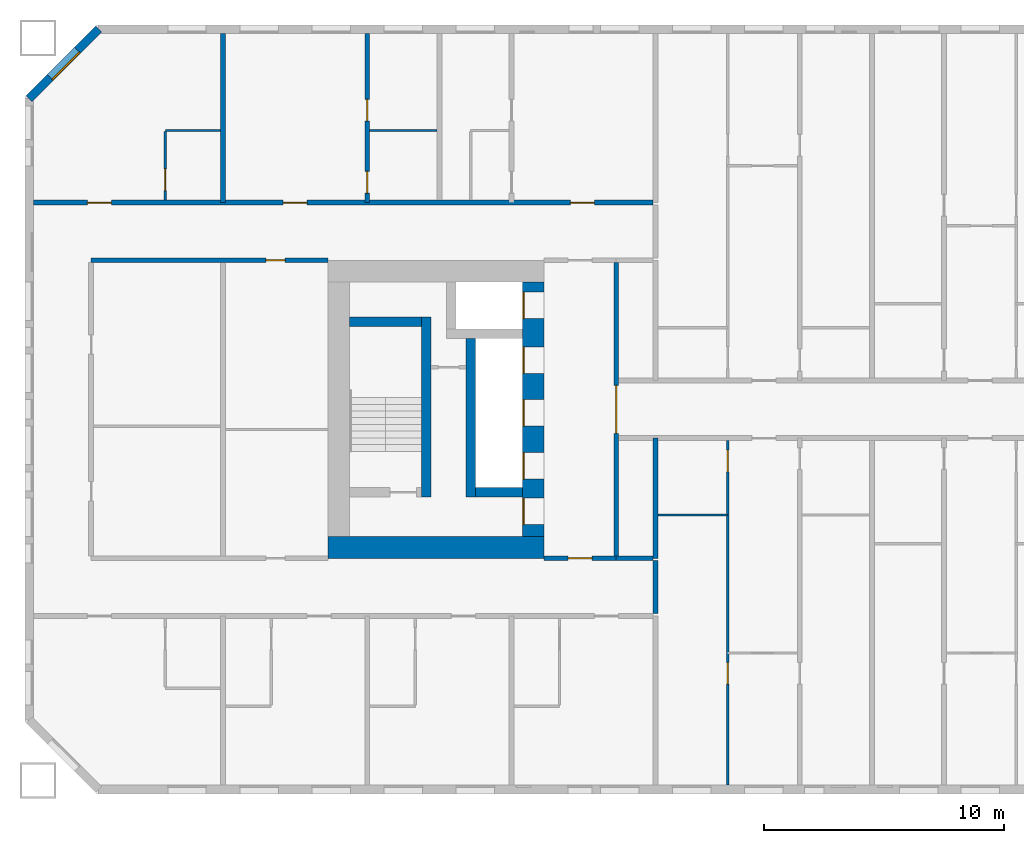
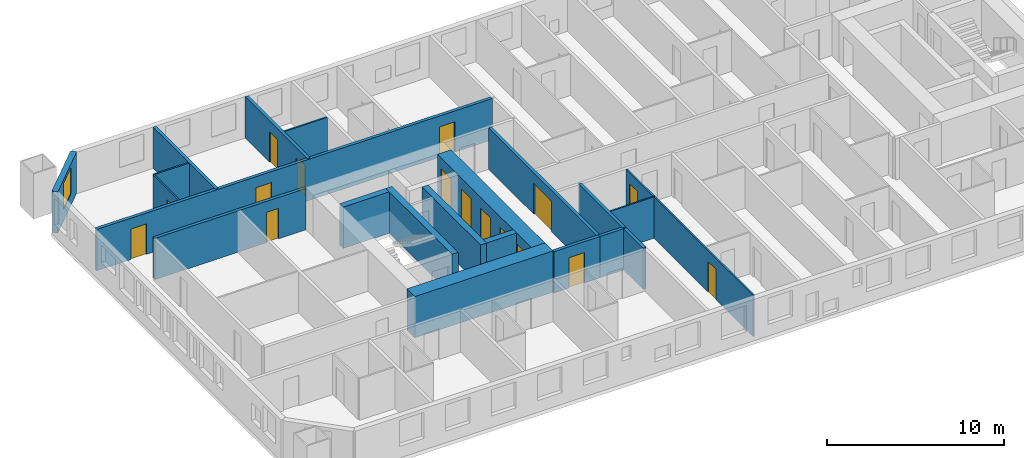
# One storey, part 4 of 18: 21 walls, 16 doors, 1 window, 17 openings.
"""IFC4 building model written with IfcOpenShell, lengths in metres."""

from ifc_helpers import new_model, si_unit, direction, frame, frame_2d, origin, place, context, subcontext, project, spatial, rectangle, extrude, material, layer, layer_set, type_object, element, fill, save


model = new_model("IFC4")

# Units and contexts
model_context = context("Model", 3, precision=1e-05, world=origin(), true_north=direction((0.0, 1.0)))
body_context = subcontext(model_context, "Body", "Model", "MODEL_VIEW")
ifc_project = project(units=[si_unit("LENGTHUNIT", "METRE"), si_unit("AREAUNIT", "SQUARE_METRE"), si_unit("VOLUMEUNIT", "CUBIC_METRE"), si_unit("PLANEANGLEUNIT", "RADIAN"), si_unit("MASSUNIT", "GRAM", prefix="KILO")], contexts=[model_context])

# Site, building, storey
site_placement = place(None, origin())
site = spatial("IfcSite", under=ifc_project, at=site_placement, CompositionType="ELEMENT")
building_placement = place(site_placement, origin())
building = spatial("IfcBuilding", under=site, at=building_placement, Name="Tuart Gate Housing", CompositionType="ELEMENT")
storey_placement = place(building_placement, frame((0.0, 0.0, 31.89990234375)))
storey = spatial("IfcBuildingStorey", under=building, at=storey_placement, Name="L08", CompositionType="ELEMENT", Elevation=31.89990234375)

# Wall, opening, window
ifc_material_1 = material(Name="Brick", Category="masonry")
ifc_layer_1 = layer(ifc_material_1, 0.360107421875)
ifc_layer_set_1 = layer_set([ifc_layer_1], Name="Brick pier and spandrel wall 360")
wall_type_1 = type_object("IfcWallType", Name="Brick pier and spandrel wall 360", PredefinedType="STANDARD", material=ifc_layer_set_1)
wall_1_placement = place(storey_placement, frame((22.82470703125, 85.820068359375, 0.0), z_axis=(0.0, 0.0, 1.0), x_axis=(-0.707106781187, -0.707106781187, 0.0)))
wall_1 = element("IfcWall", 1, at=wall_1_placement, inside=storey, type_object=wall_type_1, Name="External wall A-NW L08", PredefinedType="STANDARD", context=body_context, shape_type="SweptSolid", body=[
    extrude(rectangle(XDim=4.09375, YDim=0.360107421875, at=frame_2d((2.046875, 0.0))), origin(), (0.0, 0.0, 1.0), 2.85009765625),
])
opening_1_placement = place(wall_1_placement, frame((1.2470703125, 0.0, 0.800048828125)))
opening_1 = element("IfcOpeningElement", 2, at=opening_1_placement, cuts=wall_1, Name="Opening W1", PredefinedType="OPENING", context=body_context, shape_type="SweptSolid", body=[
    extrude(rectangle(XDim=1.60009765625, YDim=1.800048828125, at=frame_2d((0.800048828125, 0.89990234375))), frame((0.0, 0.18994140625, 0.0), z_axis=(0.0, -1.0, 0.0), x_axis=(1.0, 0.0, 0.0)), (0.0, 0.0, 1.0), 0.380126953125),
])
ifc_material_2 = material(Name="Aluminium frame with clear glass", Category="aluminium")
window_type = type_object("IfcWindowType", Name="Punched window 1600 x 1800", PartitioningType="SINGLE_PANEL", PredefinedType="WINDOW", material=ifc_material_2)
window_placement = place(opening_1_placement, origin())
window = element("IfcWindow", 3, at=window_placement, inside=storey, type_object=window_type, Name="Window W1", OverallHeight=1.800048828125, OverallWidth=1.60009765625, PartitioningType="SINGLE_PANEL", PredefinedType="WINDOW", context=body_context, shape_type="SweptSolid", body=[
    extrude(rectangle(XDim=1.60009765625, YDim=1.800048828125, at=frame_2d((0.800048828125, 0.89990234375))), frame((0.0, 0.150146484375, 0.0), z_axis=(0.0, -1.0, 0.0), x_axis=(1.0, 0.0, 0.0)), (0.0, 0.0, 1.0), 0.06005859375),
])
fill(opening_1, window)

# Walls
ifc_material_3 = material(Name="Concrete C60", Category="concrete")
ifc_layer_2 = layer(ifc_material_3, 0.39990234375)
ifc_layer_set_2 = layer_set([ifc_layer_2], Name="Core wall 400 C60")
wall_type_2 = type_object("IfcWallType", Name="Core wall 400 C60", PredefinedType="SHEAR", material=ifc_layer_set_2)
wall_2_placement = place(storey_placement, frame((36.260009765625, 73.64990234375, 0.0), z_axis=(0.0, 0.0, 1.0), x_axis=(-1.0, 0.0, 0.0)))
element("IfcWall", 4, at=wall_2_placement, inside=storey, type_object=wall_type_2, Name="Core wall AK.1", PredefinedType="SHEAR", context=body_context, shape_type="SweptSolid", body=[
    extrude(rectangle(XDim=3.0, YDim=0.39990234375, at=frame_2d((1.5, 0.0))), origin(), (0.0, 0.0, 1.0), 2.85009765625),
])
wall_3_placement = place(storey_placement, frame((40.4599609375, 66.550048828125, 0.0), z_axis=(0.0, 0.0, 1.0), x_axis=(-1.0, 0.0, 0.0)))
element("IfcWall", 5, at=wall_3_placement, inside=storey, type_object=wall_type_2, Name="Core wall AK.4", PredefinedType="SHEAR", context=body_context, shape_type="SweptSolid", body=[
    extrude(rectangle(XDim=1.949951171875, YDim=0.39990234375, at=frame_2d((0.97509765625, 0.0))), origin(), (0.0, 0.0, 1.0), 2.85009765625),
])
wall_4_placement = place(storey_placement, frame((38.31005859375, 72.949951171875, 0.0), z_axis=(0.0, 0.0, 1.0), x_axis=(0.0, -1.0, 0.0)))
element("IfcWall", 6, at=wall_4_placement, inside=storey, type_object=wall_type_2, Name="Core wall AK.6", PredefinedType="SHEAR", context=body_context, shape_type="SweptSolid", body=[
    extrude(rectangle(XDim=6.599853515625, YDim=0.39990234375, at=frame_2d((3.2998046875, 0.0))), origin(), (0.0, 0.0, 1.0), 2.85009765625),
])
wall_5_placement = place(storey_placement, frame((36.4599609375, 73.85009765625, 0.0), z_axis=(0.0, 0.0, 1.0), x_axis=(0.0, -1.0, 0.0)))
element("IfcWall", 7, at=wall_5_placement, inside=storey, type_object=wall_type_2, Name="Core wall AK.8", PredefinedType="SHEAR", context=body_context, shape_type="SweptSolid", body=[
    extrude(rectangle(XDim=7.5, YDim=0.39990234375, at=frame_2d((3.75, 0.0))), origin(), (0.0, 0.0, 1.0), 2.85009765625),
])

# Wall, openings, doors
ifc_material_4 = material(Name="Concrete C60", Category="concrete")
ifc_layer_3 = layer(ifc_material_4, 0.89990234375)
ifc_layer_set_3 = layer_set([ifc_layer_3], Name="Core wall 900 C60")
wall_type_3 = type_object("IfcWallType", Name="Core wall 900 C60", PredefinedType="SHEAR", material=ifc_layer_set_3)
wall_6_placement = place(storey_placement, frame((40.909912109375, 75.300048828125, 0.0), z_axis=(0.0, 0.0, 1.0), x_axis=(0.0, -1.0, 0.0)))
wall_6 = element("IfcWall", 8, at=wall_6_placement, inside=storey, type_object=wall_type_3, Name="Core wall AK front", PredefinedType="SHEAR", context=body_context, shape_type="SweptSolid", body=[
    extrude(rectangle(XDim=10.60009765625, YDim=0.89990234375, at=frame_2d((5.300048828125, 0.0))), origin(), (0.0, 0.0, 1.0), 2.85009765625),
])
opening_2_placement = place(wall_6_placement, frame((0.425048828125, 0.0, 0.0)))
opening_2 = element("IfcOpeningElement", 9, at=opening_2_placement, cuts=wall_6, Name="Opening LD-FA2", PredefinedType="OPENING", context=body_context, shape_type="SweptSolid", body=[
    extrude(rectangle(XDim=1.10009765625, YDim=2.10009765625, at=frame_2d((0.550048828125, 1.050048828125))), frame((0.0, 0.4599609375, 0.0), z_axis=(0.0, -1.0, 0.0), x_axis=(1.0, 0.0, 0.0)), (0.0, 0.0, 1.0), 0.919921875),
])
opening_3_placement = place(wall_6_placement, frame((2.699951171875, 0.0, 0.0)))
opening_3 = element("IfcOpeningElement", 10, at=opening_3_placement, cuts=wall_6, Name="Opening LD-LA4", PredefinedType="OPENING", context=body_context, shape_type="SweptSolid", body=[
    extrude(rectangle(XDim=1.10009765625, YDim=2.10009765625, at=frame_2d((0.550048828125, 1.050048828125))), frame((0.0, 0.4599609375, 0.0), z_axis=(0.0, -1.0, 0.0), x_axis=(1.0, 0.0, 0.0)), (0.0, 0.0, 1.0), 0.919921875),
])
opening_4_placement = place(wall_6_placement, frame((4.89990234375, 0.0, 0.0)))
opening_4 = element("IfcOpeningElement", 11, at=opening_4_placement, cuts=wall_6, Name="Opening LD-LA5", PredefinedType="OPENING", context=body_context, shape_type="SweptSolid", body=[
    extrude(rectangle(XDim=1.10009765625, YDim=2.10009765625, at=frame_2d((0.550048828125, 1.050048828125))), frame((0.0, 0.4599609375, 0.0), z_axis=(0.0, -1.0, 0.0), x_axis=(1.0, 0.0, 0.0)), (0.0, 0.0, 1.0), 0.919921875),
])
opening_5_placement = place(wall_6_placement, frame((7.10009765625, 0.0, 0.0)))
opening_5 = element("IfcOpeningElement", 12, at=opening_5_placement, cuts=wall_6, Name="Opening LD-LA6", PredefinedType="OPENING", context=body_context, shape_type="SweptSolid", body=[
    extrude(rectangle(XDim=1.10009765625, YDim=2.10009765625, at=frame_2d((0.550048828125, 1.050048828125))), frame((0.0, 0.4599609375, 0.0), z_axis=(0.0, -1.0, 0.0), x_axis=(1.0, 0.0, 0.0)), (0.0, 0.0, 1.0), 0.919921875),
])
opening_6_placement = place(wall_6_placement, frame((9.0, 0.0, 0.0)))
opening_6 = element("IfcOpeningElement", 13, at=opening_6_placement, cuts=wall_6, Name="Opening D498", PredefinedType="OPENING", context=body_context, shape_type="SweptSolid", body=[
    extrude(rectangle(XDim=1.10009765625, YDim=2.10009765625, at=frame_2d((0.550048828125, 1.050048828125))), frame((0.0, 0.4599609375, 0.0), z_axis=(0.0, -1.0, 0.0), x_axis=(1.0, 0.0, 0.0)), (0.0, 0.0, 1.0), 0.919921875),
])
ifc_material_5 = material(Name="Stainless steel", Category="steel")
door_type_1 = type_object("IfcDoorType", Name="Landing door 1100 x 2100", OperationType="DOUBLE_DOOR_SLIDING", PredefinedType="DOOR", material=ifc_material_5)
door_1_placement = place(opening_2_placement, origin())
door_1 = element("IfcDoor", 14, at=door_1_placement, inside=storey, type_object=door_type_1, Name="Lift landing door FA2", OperationType="DOUBLE_DOOR_SLIDING", OverallHeight=2.10009765625, OverallWidth=1.10009765625, PredefinedType="DOOR", context=body_context, shape_type="SweptSolid", body=[
    extrude(rectangle(XDim=1.10009765625, YDim=2.10009765625, at=frame_2d((0.550048828125, 1.050048828125))), frame((0.0, -0.384765625, 0.0), z_axis=(0.0, -1.0, 0.0), x_axis=(1.0, 0.0, 0.0)), (0.0, 0.0, 1.0), 0.050048828125),
])
fill(opening_2, door_1)
door_2_placement = place(opening_3_placement, origin())
door_2 = element("IfcDoor", 15, at=door_2_placement, inside=storey, type_object=door_type_1, Name="Lift landing door LA4", OperationType="DOUBLE_DOOR_SLIDING", OverallHeight=2.10009765625, OverallWidth=1.10009765625, PredefinedType="DOOR", context=body_context, shape_type="SweptSolid", body=[
    extrude(rectangle(XDim=1.10009765625, YDim=2.10009765625, at=frame_2d((0.550048828125, 1.050048828125))), frame((0.0, -0.384765625, 0.0), z_axis=(0.0, -1.0, 0.0), x_axis=(1.0, 0.0, 0.0)), (0.0, 0.0, 1.0), 0.050048828125),
])
fill(opening_3, door_2)
door_3_placement = place(opening_4_placement, origin())
door_3 = element("IfcDoor", 16, at=door_3_placement, inside=storey, type_object=door_type_1, Name="Lift landing door LA5", OperationType="DOUBLE_DOOR_SLIDING", OverallHeight=2.10009765625, OverallWidth=1.10009765625, PredefinedType="DOOR", context=body_context, shape_type="SweptSolid", body=[
    extrude(rectangle(XDim=1.10009765625, YDim=2.10009765625, at=frame_2d((0.550048828125, 1.050048828125))), frame((0.0, -0.384765625, 0.0), z_axis=(0.0, -1.0, 0.0), x_axis=(1.0, 0.0, 0.0)), (0.0, 0.0, 1.0), 0.050048828125),
])
fill(opening_4, door_3)
door_4_placement = place(opening_5_placement, origin())
door_4 = element("IfcDoor", 17, at=door_4_placement, inside=storey, type_object=door_type_1, Name="Lift landing door LA6", OperationType="DOUBLE_DOOR_SLIDING", OverallHeight=2.10009765625, OverallWidth=1.10009765625, PredefinedType="DOOR", context=body_context, shape_type="SweptSolid", body=[
    extrude(rectangle(XDim=1.10009765625, YDim=2.10009765625, at=frame_2d((0.550048828125, 1.050048828125))), frame((0.0, -0.384765625, 0.0), z_axis=(0.0, -1.0, 0.0), x_axis=(1.0, 0.0, 0.0)), (0.0, 0.0, 1.0), 0.050048828125),
])
fill(opening_5, door_4)
ifc_material_6 = material(Name="Steel fire door", Category="steel")
door_type_2 = type_object("IfcDoorType", Name="Lobby door 1100 x 2100 RH", OperationType="SINGLE_SWING_RIGHT", PredefinedType="DOOR", material=ifc_material_6)
door_5_placement = place(opening_6_placement, frame((1.10009765625, 0.0, 0.0), z_axis=(0.0, 0.0, 1.0), x_axis=(-1.0, 0.0, 0.0)))
door_5 = element("IfcDoor", 18, at=door_5_placement, inside=storey, type_object=door_type_2, Name="Lobby entry door AK.EN", OperationType="SINGLE_SWING_RIGHT", OverallHeight=2.10009765625, OverallWidth=1.10009765625, PredefinedType="DOOR", context=body_context, shape_type="SweptSolid", body=[
    extrude(rectangle(XDim=1.10009765625, YDim=2.10009765625, at=frame_2d((0.550048828125, 1.050048828125))), frame((0.0, 0.434814453125, 0.0), z_axis=(0.0, -1.0, 0.0), x_axis=(1.0, 0.0, 0.0)), (0.0, 0.0, 1.0), 0.050048828125),
])
fill(opening_6, door_5)

# Walls
wall_7_placement = place(storey_placement, frame((41.360107421875, 64.25, 0.0), z_axis=(0.0, 0.0, 1.0), x_axis=(-1.0, 0.0, 0.0)))
element("IfcWall", 19, at=wall_7_placement, inside=storey, type_object=wall_type_3, Name="Core wall AK north", PredefinedType="SHEAR", context=body_context, shape_type="SweptSolid", body=[
    extrude(rectangle(XDim=9.0, YDim=0.89990234375, at=frame_2d((4.5, 0.0))), origin(), (0.0, 0.0, 1.0), 2.85009765625),
])
ifc_material_7 = material(Name="Concrete masonry 15 MPa", Category="masonry")
ifc_layer_4 = layer(ifc_material_7, 0.199951171875)
ifc_layer_set_4 = layer_set([ifc_layer_4], Name="Corridor wall masonry 200")
wall_type_4 = type_object("IfcWallType", Name="Corridor wall masonry 200", PredefinedType="PARTITIONING", material=ifc_layer_set_4)
wall_8_placement = place(storey_placement, frame((44.360107421875, 63.800048828125, 0.0), z_axis=(0.0, 0.0, 1.0), x_axis=(1.0, 0.0, 0.0)))
element("IfcWall", 20, at=wall_8_placement, inside=storey, type_object=wall_type_4, Name="Corridor wall masonry 200", PredefinedType="PARTITIONING", context=body_context, shape_type="SweptSolid", body=[
    extrude(rectangle(XDim=1.539794921875, YDim=0.199951171875, at=frame_2d((0.77001953125, 0.0))), origin(), (0.0, 0.0, 1.0), 2.85009765625),
])

# Wall, opening, door
wall_9_placement = place(storey_placement, frame((22.510009765625, 76.199951171875, 0.0), z_axis=(0.0, 0.0, 1.0), x_axis=(1.0, 0.0, 0.0)))
wall_9 = element("IfcWall", 21, at=wall_9_placement, inside=storey, type_object=wall_type_4, Name="Corridor wall masonry 200", PredefinedType="PARTITIONING", context=body_context, shape_type="SweptSolid", body=[
    extrude(rectangle(XDim=9.85009765625, YDim=0.199951171875, at=frame_2d((4.925048828125, 0.0))), origin(), (0.0, 0.0, 1.0), 2.85009765625),
])
opening_7_placement = place(wall_9_placement, frame((7.27001953125, 0.0, 0.0)))
opening_7 = element("IfcOpeningElement", 22, at=opening_7_placement, cuts=wall_9, Name="Opening D489", PredefinedType="OPENING", context=body_context, shape_type="SweptSolid", body=[
    extrude(rectangle(XDim=0.800048828125, YDim=2.10009765625, at=frame_2d((0.39990234375, 1.050048828125))), frame((0.0, 0.10986328125, 0.0), z_axis=(0.0, -1.0, 0.0), x_axis=(1.0, 0.0, 0.0)), (0.0, 0.0, 1.0), 0.219970703125),
])
ifc_material_8 = material(Name="Timber door leaf in steel frame", Category="steel")
door_type_3 = type_object("IfcDoorType", Name="Store door 800 RH", OperationType="SINGLE_SWING_RIGHT", PredefinedType="DOOR", material=ifc_material_8)
door_6_placement = place(opening_7_placement, frame((0.800048828125, 0.0, 0.0), z_axis=(0.0, 0.0, 1.0), x_axis=(-1.0, 0.0, 0.0)))
door_6 = element("IfcDoor", 23, at=door_6_placement, inside=storey, type_object=door_type_3, Name="Store door", OperationType="SINGLE_SWING_RIGHT", OverallHeight=2.10009765625, OverallWidth=0.800048828125, PredefinedType="DOOR", context=body_context, shape_type="SweptSolid", body=[
    extrude(rectangle(XDim=0.800048828125, YDim=2.10009765625, at=frame_2d((0.400146484375, 1.050048828125))), frame((0.0, 0.025146484375, 0.0), z_axis=(0.0, -1.0, 0.0), x_axis=(1.0, 0.0, 0.0)), (0.0, 0.0, 1.0), 0.050048828125),
])
fill(opening_7, door_6)

# Wall, openings, doors
wall_10_placement = place(storey_placement, frame((20.110107421875, 78.60009765625, 0.0), z_axis=(0.0, 0.0, 1.0), x_axis=(1.0, 0.0, 0.0)))
wall_10 = element("IfcWall", 24, at=wall_10_placement, inside=storey, type_object=wall_type_4, Name="Corridor wall masonry 200", PredefinedType="PARTITIONING", context=body_context, shape_type="SweptSolid", body=[
    extrude(rectangle(XDim=25.789794921875, YDim=0.199951171875, at=frame_2d((12.89501953125, 0.0))), origin(), (0.0, 0.0, 1.0), 2.85009765625),
])
opening_8_placement = place(wall_10_placement, frame((22.340087890625, 0.0, 0.0)))
opening_8 = element("IfcOpeningElement", 25, at=opening_8_placement, cuts=wall_10, Name="Opening D477", PredefinedType="OPENING", context=body_context, shape_type="SweptSolid", body=[
    extrude(rectangle(XDim=1.0, YDim=2.10009765625, at=frame_2d((0.5, 1.050048828125))), frame((0.0, 0.10986328125, 0.0), z_axis=(0.0, -1.0, 0.0), x_axis=(1.0, 0.0, 0.0)), (0.0, 0.0, 1.0), 0.219970703125),
])
opening_9_placement = place(wall_10_placement, frame((10.389892578125, 0.0, 0.0)))
opening_9 = element("IfcOpeningElement", 26, at=opening_9_placement, cuts=wall_10, Name="Opening D478", PredefinedType="OPENING", context=body_context, shape_type="SweptSolid", body=[
    extrude(rectangle(XDim=1.0, YDim=2.10009765625, at=frame_2d((0.5, 1.050048828125))), frame((0.0, 0.10986328125, 0.0), z_axis=(0.0, -1.0, 0.0), x_axis=(1.0, 0.0, 0.0)), (0.0, 0.0, 1.0), 0.219970703125),
])
opening_10_placement = place(wall_10_placement, frame((2.2451171875, 0.0, 0.0)))
opening_10 = element("IfcOpeningElement", 27, at=opening_10_placement, cuts=wall_10, Name="Opening D479", PredefinedType="OPENING", context=body_context, shape_type="SweptSolid", body=[
    extrude(rectangle(XDim=1.0, YDim=2.10009765625, at=frame_2d((0.5, 1.050048828125))), frame((0.0, 0.10986328125, 0.0), z_axis=(0.0, -1.0, 0.0), x_axis=(1.0, 0.0, 0.0)), (0.0, 0.0, 1.0), 0.219970703125),
])
ifc_material_9 = material(Name="Timber door leaf in steel frame", Category="steel")
door_type_4 = type_object("IfcDoorType", Name="Flat entrance door 1000", OperationType="SINGLE_SWING_LEFT", PredefinedType="DOOR", material=ifc_material_9)
door_7_placement = place(opening_8_placement, origin())
door_7 = element("IfcDoor", 28, at=door_7_placement, inside=storey, type_object=door_type_4, Name="Flat entrance door", OperationType="SINGLE_SWING_LEFT", OverallHeight=2.10009765625, OverallWidth=1.0, PredefinedType="DOOR", context=body_context, shape_type="SweptSolid", body=[
    extrude(rectangle(XDim=1.0, YDim=2.10009765625, at=frame_2d((0.5, 1.050048828125))), frame((0.0, 0.02490234375, 0.0), z_axis=(0.0, -1.0, 0.0), x_axis=(1.0, 0.0, 0.0)), (0.0, 0.0, 1.0), 0.050048828125),
])
fill(opening_8, door_7)
door_8_placement = place(opening_9_placement, origin())
door_8 = element("IfcDoor", 29, at=door_8_placement, inside=storey, type_object=door_type_4, Name="Flat entrance door", OperationType="SINGLE_SWING_LEFT", OverallHeight=2.10009765625, OverallWidth=1.0, PredefinedType="DOOR", context=body_context, shape_type="SweptSolid", body=[
    extrude(rectangle(XDim=1.0, YDim=2.10009765625, at=frame_2d((0.5, 1.050048828125))), frame((0.0, 0.02490234375, 0.0), z_axis=(0.0, -1.0, 0.0), x_axis=(1.0, 0.0, 0.0)), (0.0, 0.0, 1.0), 0.050048828125),
])
fill(opening_9, door_8)
door_9_placement = place(opening_10_placement, origin())
door_9 = element("IfcDoor", 30, at=door_9_placement, inside=storey, type_object=door_type_4, Name="Flat entrance door", OperationType="SINGLE_SWING_LEFT", OverallHeight=2.10009765625, OverallWidth=1.0, PredefinedType="DOOR", context=body_context, shape_type="SweptSolid", body=[
    extrude(rectangle(XDim=1.0, YDim=2.10009765625, at=frame_2d((0.5, 1.050048828125))), frame((0.0, 0.02490234375, 0.0), z_axis=(0.0, -1.0, 0.0), x_axis=(1.0, 0.0, 0.0)), (0.0, 0.0, 1.0), 0.050048828125),
])
fill(opening_10, door_9)

# Wall
wall_11_placement = place(storey_placement, frame((46.0, 61.5, 0.0), z_axis=(0.0, 0.0, 1.0), x_axis=(0.0, 1.0, 0.0)))
element("IfcWall", 31, at=wall_11_placement, inside=storey, type_object=wall_type_4, Name="Corridor wall masonry 200", PredefinedType="PARTITIONING", context=body_context, shape_type="SweptSolid", body=[
    extrude(rectangle(XDim=2.199951171875, YDim=0.199951171875, at=frame_2d((1.10009765625, 0.0))), origin(), (0.0, 0.0, 1.0), 2.85009765625),
])

# Wall, opening, door
ifc_material_10 = material(Name="Concrete masonry 15 MPa", Category="masonry")
ifc_layer_5 = layer(ifc_material_10, 0.199951171875)
ifc_layer_set_5 = layer_set([ifc_layer_5], Name="Enclosure wall masonry 200")
wall_type_5 = type_object("IfcWallType", Name="Enclosure wall masonry 200", PredefinedType="PARTITIONING", material=ifc_layer_set_5)
wall_12_placement = place(storey_placement, frame((41.360107421875, 63.800048828125, 0.0), z_axis=(0.0, 0.0, 1.0), x_axis=(1.0, 0.0, 0.0)))
wall_12 = element("IfcWall", 32, at=wall_12_placement, inside=storey, type_object=wall_type_5, Name="Enclosure wall masonry 200", PredefinedType="PARTITIONING", context=body_context, shape_type="SweptSolid", body=[
    extrude(rectangle(XDim=3.0, YDim=0.199951171875, at=frame_2d((1.5, 0.0))), origin(), (0.0, 0.0, 1.0), 2.85009765625),
])
opening_11_placement = place(wall_12_placement, frame((1.0, 0.0, 0.0)))
opening_11 = element("IfcOpeningElement", 33, at=opening_11_placement, cuts=wall_12, Name="Opening D508", PredefinedType="OPENING", context=body_context, shape_type="SweptSolid", body=[
    extrude(rectangle(XDim=1.0, YDim=2.10009765625, at=frame_2d((0.5, 1.050048828125))), frame((0.0, 0.10986328125, 0.0), z_axis=(0.0, -1.0, 0.0), x_axis=(1.0, 0.0, 0.0)), (0.0, 0.0, 1.0), 0.219970703125),
])
ifc_material_11 = material(Name="Timber door leaf in steel frame", Category="steel")
door_type_5 = type_object("IfcDoorType", Name="Fire door 1000", OperationType="SINGLE_SWING_LEFT", PredefinedType="DOOR", material=ifc_material_11)
door_10_placement = place(opening_11_placement, frame((1.0, 0.0, 0.0), z_axis=(0.0, 0.0, 1.0), x_axis=(-1.0, 0.0, 0.0)))
door_10 = element("IfcDoor", 34, at=door_10_placement, inside=storey, type_object=door_type_5, Name="Fire door", OperationType="SINGLE_SWING_LEFT", OverallHeight=2.10009765625, OverallWidth=1.0, PredefinedType="DOOR", context=body_context, shape_type="SweptSolid", body=[
    extrude(rectangle(XDim=1.0, YDim=2.10009765625, at=frame_2d((0.5, 1.050048828125))), frame((0.0, 0.025146484375, 0.0), z_axis=(0.0, -1.0, 0.0), x_axis=(1.0, 0.0, 0.0)), (0.0, 0.0, 1.0), 0.050048828125),
])
fill(opening_11, door_10)

ifc_material_12 = material(Name="Plasterboard partition")
ifc_layer_6 = layer(ifc_material_12, 0.199951171875)
ifc_layer_set_6 = layer_set([ifc_layer_6], Name="Lobby wall 200")
wall_type_6 = type_object("IfcWallType", Name="Lobby wall 200", PredefinedType="PARTITIONING", material=ifc_layer_set_6)
wall_13_placement = place(storey_placement, frame((44.360107421875, 63.89990234375, 0.0), z_axis=(0.0, 0.0, 1.0), x_axis=(0.0, 1.0, 0.0)))
wall_13 = element("IfcWall", 35, at=wall_13_placement, inside=storey, type_object=wall_type_6, Name="Lift lobby wall AK", PredefinedType="PARTITIONING", context=body_context, shape_type="SweptSolid", body=[
    extrude(rectangle(XDim=12.2001953125, YDim=0.199951171875, at=frame_2d((6.10009765625, 0.0))), origin(), (0.0, 0.0, 1.0), 2.85009765625),
])
opening_12_placement = place(wall_13_placement, frame((5.10009765625, 0.0, 0.0)))
opening_12 = element("IfcOpeningElement", 36, at=opening_12_placement, cuts=wall_13, Name="Opening D499", PredefinedType="OPENING", context=body_context, shape_type="SweptSolid", body=[
    extrude(rectangle(XDim=2.0, YDim=2.10009765625, at=frame_2d((1.0, 1.050048828125))), frame((0.0, 0.10986328125, 0.0), z_axis=(0.0, -1.0, 0.0), x_axis=(1.0, 0.0, 0.0)), (0.0, 0.0, 1.0), 0.219970703125),
])
ifc_material_13 = material(Name="Steel fire door", Category="steel")
door_type_6 = type_object("IfcDoorType", Name="Smoke door 2000 x 2100", OperationType="DOUBLE_DOOR_SINGLE_SWING", PredefinedType="DOOR", material=ifc_material_13)
door_11_placement = place(opening_12_placement, origin())
door_11 = element("IfcDoor", 37, at=door_11_placement, inside=storey, type_object=door_type_6, Name="Lift lobby smoke door AK", OperationType="DOUBLE_DOOR_SINGLE_SWING", OverallHeight=2.10009765625, OverallWidth=2.0, PredefinedType="DOOR", context=body_context, shape_type="SweptSolid", body=[
    extrude(rectangle(XDim=2.0, YDim=2.10009765625, at=frame_2d((1.0, 1.050048828125))), frame((0.0, 0.02490234375, 0.0), z_axis=(0.0, -1.0, 0.0), x_axis=(1.0, 0.0, 0.0)), (0.0, 0.0, 1.0), 0.050048828125),
])
fill(opening_12, door_11)

# Walls
ifc_material_14 = material(Name="Gypsum board on steel studs", Category="steel")
ifc_layer_7 = layer(ifc_material_14, 0.10009765625)
ifc_layer_set_7 = layer_set([ifc_layer_7], Name="Partition 100")
wall_type_7 = type_object("IfcWallType", Name="Partition 100", PredefinedType="PARTITIONING", material=ifc_layer_set_7)
wall_14_placement = place(storey_placement, frame((46.10009765625, 65.60009765625, 0.0), z_axis=(0.0, 0.0, 1.0), x_axis=(1.0, 0.0, 0.0)))
element("IfcWall", 38, at=wall_14_placement, inside=storey, type_object=wall_type_7, Name="Partition 100", PredefinedType="PARTITIONING", context=body_context, shape_type="SweptSolid", body=[
    extrude(rectangle(XDim=2.89990234375, YDim=0.10009765625, at=frame_2d((1.449951171875, 0.0))), origin(), (0.0, 0.0, 1.0), 2.85009765625),
])
wall_15_placement = place(storey_placement, frame((25.60009765625, 81.60009765625, 0.0), z_axis=(0.0, 0.0, 1.0), x_axis=(1.0, 0.0, 0.0)))
element("IfcWall", 39, at=wall_15_placement, inside=storey, type_object=wall_type_7, Name="Partition 100", PredefinedType="PARTITIONING", context=body_context, shape_type="SweptSolid", body=[
    extrude(rectangle(XDim=2.2998046875, YDim=0.10009765625, at=frame_2d((1.14990234375, 0.0))), origin(), (0.0, 0.0, 1.0), 2.85009765625),
])
wall_16_placement = place(storey_placement, frame((34.10009765625, 81.60009765625, 0.0), z_axis=(0.0, 0.0, 1.0), x_axis=(1.0, 0.0, 0.0)))
element("IfcWall", 40, at=wall_16_placement, inside=storey, type_object=wall_type_7, Name="Partition 100", PredefinedType="PARTITIONING", context=body_context, shape_type="SweptSolid", body=[
    extrude(rectangle(XDim=2.7998046875, YDim=0.10009765625, at=frame_2d((1.39990234375, 0.0))), origin(), (0.0, 0.0, 1.0), 2.85009765625),
])

# Wall, opening, door
wall_17_placement = place(storey_placement, frame((25.60009765625, 78.699951171875, 0.0), z_axis=(0.0, 0.0, 1.0), x_axis=(0.0, 1.0, 0.0)))
wall_17 = element("IfcWall", 41, at=wall_17_placement, inside=storey, type_object=wall_type_7, Name="Partition 100", PredefinedType="PARTITIONING", context=body_context, shape_type="SweptSolid", body=[
    extrude(rectangle(XDim=2.85009765625, YDim=0.10009765625, at=frame_2d((1.425048828125, 0.0))), origin(), (0.0, 0.0, 1.0), 2.85009765625),
])
opening_13_placement = place(wall_17_placement, frame((0.39990234375, 0.0, 0.0)))
opening_13 = element("IfcOpeningElement", 42, at=opening_13_placement, cuts=wall_17, Name="Opening D474", PredefinedType="OPENING", context=body_context, shape_type="SweptSolid", body=[
    extrude(rectangle(XDim=0.89990234375, YDim=2.10009765625, at=frame_2d((0.449951171875, 1.050048828125))), frame((0.0, 0.06005859375, 0.0), z_axis=(0.0, -1.0, 0.0), x_axis=(1.0, 0.0, 0.0)), (0.0, 0.0, 1.0), 0.1201171875),
])
ifc_material_15 = material(Name="Timber door leaf in steel frame", Category="steel")
door_type_7 = type_object("IfcDoorType", Name="Bathroom door 900 RH", OperationType="SINGLE_SWING_RIGHT", PredefinedType="DOOR", material=ifc_material_15)
door_12_placement = place(opening_13_placement, frame((0.89990234375, 0.0, 0.0), z_axis=(0.0, 0.0, 1.0), x_axis=(-1.0, 0.0, 0.0)))
door_12 = element("IfcDoor", 43, at=door_12_placement, inside=storey, type_object=door_type_7, Name="Bathroom door", OperationType="SINGLE_SWING_RIGHT", OverallHeight=2.10009765625, OverallWidth=0.89990234375, PredefinedType="DOOR", context=body_context, shape_type="SweptSolid", body=[
    extrude(rectangle(XDim=0.89990234375, YDim=2.10009765625, at=frame_2d((0.449951171875, 1.050048828125))), frame((0.0, 0.025146484375, 0.0), z_axis=(0.0, -1.0, 0.0), x_axis=(1.0, 0.0, 0.0)), (0.0, 0.0, 1.0), 0.050048828125),
])
fill(opening_13, door_12)

# Wall, openings, doors
wall_18_placement = place(storey_placement, frame((49.0, 54.360107421875, 0.0), z_axis=(0.0, 0.0, 1.0), x_axis=(0.0, 1.0, 0.0)))
wall_18 = element("IfcWall", 44, at=wall_18_placement, inside=storey, type_object=wall_type_7, Name="Partition 100", PredefinedType="PARTITIONING", context=body_context, shape_type="SweptSolid", body=[
    extrude(rectangle(XDim=14.33984375, YDim=0.10009765625, at=frame_2d((7.169921875, 0.0))), origin(), (0.0, 0.0, 1.0), 2.85009765625),
])
opening_14_placement = place(wall_18_placement, frame((4.199951171875, 0.0, 0.0)))
opening_14 = element("IfcOpeningElement", 45, at=opening_14_placement, cuts=wall_18, Name="Opening D515", PredefinedType="OPENING", context=body_context, shape_type="SweptSolid", body=[
    extrude(rectangle(XDim=0.89990234375, YDim=2.10009765625, at=frame_2d((0.449951171875, 1.050048828125))), frame((0.0, 0.06005859375, 0.0), z_axis=(0.0, -1.0, 0.0), x_axis=(1.0, 0.0, 0.0)), (0.0, 0.0, 1.0), 0.1201171875),
])
opening_15_placement = place(wall_18_placement, frame((13.0400390625, 0.0, 0.0)))
opening_15 = element("IfcOpeningElement", 46, at=opening_15_placement, cuts=wall_18, Name="Opening D514", PredefinedType="OPENING", context=body_context, shape_type="SweptSolid", body=[
    extrude(rectangle(XDim=0.89990234375, YDim=2.10009765625, at=frame_2d((0.449951171875, 1.050048828125))), frame((0.0, 0.06005859375, 0.0), z_axis=(0.0, -1.0, 0.0), x_axis=(1.0, 0.0, 0.0)), (0.0, 0.0, 1.0), 0.1201171875),
])
door_13_placement = place(opening_15_placement, origin())
door_13 = element("IfcDoor", 47, at=door_13_placement, inside=storey, type_object=door_type_7, Name="Bathroom door", OperationType="SINGLE_SWING_RIGHT", OverallHeight=2.10009765625, OverallWidth=0.89990234375, PredefinedType="DOOR", context=body_context, shape_type="SweptSolid", body=[
    extrude(rectangle(XDim=0.89990234375, YDim=2.10009765625, at=frame_2d((0.449951171875, 1.050048828125))), frame((0.0, 0.02490234375, 0.0), z_axis=(0.0, -1.0, 0.0), x_axis=(1.0, 0.0, 0.0)), (0.0, 0.0, 1.0), 0.050048828125),
])
fill(opening_15, door_13)
ifc_material_16 = material(Name="Timber door leaf in steel frame", Category="steel")
door_type_8 = type_object("IfcDoorType", Name="Internal door 900", OperationType="SINGLE_SWING_LEFT", PredefinedType="DOOR", material=ifc_material_16)
door_14_placement = place(opening_14_placement, origin())
door_14 = element("IfcDoor", 48, at=door_14_placement, inside=storey, type_object=door_type_8, Name="Internal door", OperationType="SINGLE_SWING_LEFT", OverallHeight=2.10009765625, OverallWidth=0.89990234375, PredefinedType="DOOR", context=body_context, shape_type="SweptSolid", body=[
    extrude(rectangle(XDim=0.89990234375, YDim=2.10009765625, at=frame_2d((0.449951171875, 1.050048828125))), frame((0.0, 0.02490234375, 0.0), z_axis=(0.0, -1.0, 0.0), x_axis=(1.0, 0.0, 0.0)), (0.0, 0.0, 1.0), 0.050048828125),
])
fill(opening_14, door_14)

# Wall
ifc_material_17 = material(Name="Concrete C40", Category="concrete")
ifc_layer_8 = layer(ifc_material_17, 0.199951171875)
ifc_layer_set_8 = layer_set([ifc_layer_8], Name="Party wall concrete C40 200")
wall_type_8 = type_object("IfcWallType", Name="Party wall concrete C40 200", PredefinedType="SOLIDWALL", material=ifc_layer_set_8)
wall_19_placement = place(storey_placement, frame((28.0, 78.60009765625, 0.0), z_axis=(0.0, 0.0, 1.0), x_axis=(0.0, 1.0, 0.0)))
element("IfcWall", 49, at=wall_19_placement, inside=storey, type_object=wall_type_8, Name="Party wall concrete C40 200", PredefinedType="SOLIDWALL", context=body_context, shape_type="SweptSolid", body=[
    extrude(rectangle(XDim=7.039794921875, YDim=0.199951171875, at=frame_2d((3.52001953125, 0.0))), origin(), (0.0, 0.0, 1.0), 2.85009765625),
])

# Wall, openings, doors
wall_20_placement = place(storey_placement, frame((34.0, 78.60009765625, 0.0), z_axis=(0.0, 0.0, 1.0), x_axis=(0.0, 1.0, 0.0)))
wall_20 = element("IfcWall", 50, at=wall_20_placement, inside=storey, type_object=wall_type_8, Name="Party wall concrete C40 200", PredefinedType="SOLIDWALL", context=body_context, shape_type="SweptSolid", body=[
    extrude(rectangle(XDim=7.039794921875, YDim=0.199951171875, at=frame_2d((3.52001953125, 0.0))), origin(), (0.0, 0.0, 1.0), 2.85009765625),
])
opening_16_placement = place(wall_20_placement, frame((3.39990234375, 0.0, 0.0)))
opening_16 = element("IfcOpeningElement", 51, at=opening_16_placement, cuts=wall_20, Name="Opening D468", PredefinedType="OPENING", context=body_context, shape_type="SweptSolid", body=[
    extrude(rectangle(XDim=0.89990234375, YDim=2.10009765625, at=frame_2d((0.449951171875, 1.050048828125))), frame((0.0, 0.10986328125, 0.0), z_axis=(0.0, -1.0, 0.0), x_axis=(1.0, 0.0, 0.0)), (0.0, 0.0, 1.0), 0.219970703125),
])
opening_17_placement = place(wall_20_placement, frame((0.39990234375, 0.0, 0.0)))
opening_17 = element("IfcOpeningElement", 52, at=opening_17_placement, cuts=wall_20, Name="Opening D467", PredefinedType="OPENING", context=body_context, shape_type="SweptSolid", body=[
    extrude(rectangle(XDim=0.89990234375, YDim=2.10009765625, at=frame_2d((0.449951171875, 1.050048828125))), frame((0.0, 0.10986328125, 0.0), z_axis=(0.0, -1.0, 0.0), x_axis=(1.0, 0.0, 0.0)), (0.0, 0.0, 1.0), 0.219970703125),
])
door_15_placement = place(opening_17_placement, frame((0.89990234375, 0.0, 0.0), z_axis=(0.0, 0.0, 1.0), x_axis=(-1.0, 0.0, 0.0)))
door_15 = element("IfcDoor", 53, at=door_15_placement, inside=storey, type_object=door_type_7, Name="Bathroom door", OperationType="SINGLE_SWING_RIGHT", OverallHeight=2.10009765625, OverallWidth=0.89990234375, PredefinedType="DOOR", context=body_context, shape_type="SweptSolid", body=[
    extrude(rectangle(XDim=0.89990234375, YDim=2.10009765625, at=frame_2d((0.449951171875, 1.050048828125))), frame((0.0, 0.025146484375, 0.0), z_axis=(0.0, -1.0, 0.0), x_axis=(1.0, 0.0, 0.0)), (0.0, 0.0, 1.0), 0.050048828125),
])
fill(opening_17, door_15)
ifc_material_18 = material(Name="Timber door leaf in steel frame", Category="steel")
door_type_9 = type_object("IfcDoorType", Name="Internal door 900 RH", OperationType="SINGLE_SWING_RIGHT", PredefinedType="DOOR", material=ifc_material_18)
door_16_placement = place(opening_16_placement, frame((0.89990234375, 0.0, 0.0), z_axis=(0.0, 0.0, 1.0), x_axis=(-1.0, 0.0, 0.0)))
door_16 = element("IfcDoor", 54, at=door_16_placement, inside=storey, type_object=door_type_9, Name="Internal door", OperationType="SINGLE_SWING_RIGHT", OverallHeight=2.10009765625, OverallWidth=0.89990234375, PredefinedType="DOOR", context=body_context, shape_type="SweptSolid", body=[
    extrude(rectangle(XDim=0.89990234375, YDim=2.10009765625, at=frame_2d((0.449951171875, 1.050048828125))), frame((0.0, 0.025146484375, 0.0), z_axis=(0.0, -1.0, 0.0), x_axis=(1.0, 0.0, 0.0)), (0.0, 0.0, 1.0), 0.050048828125),
])
fill(opening_16, door_16)

# Wall
wall_21_placement = place(storey_placement, frame((46.0, 63.800048828125, 0.0), z_axis=(0.0, 0.0, 1.0), x_axis=(0.0, 1.0, 0.0)))
element("IfcWall", 55, at=wall_21_placement, inside=storey, type_object=wall_type_8, Name="Party wall concrete C40 200", PredefinedType="SOLIDWALL", context=body_context, shape_type="SweptSolid", body=[
    extrude(rectangle(XDim=5.0, YDim=0.199951171875, at=frame_2d((2.5, 0.0))), origin(), (0.0, 0.0, 1.0), 2.85009765625),
])

save(model, "model.ifc")
